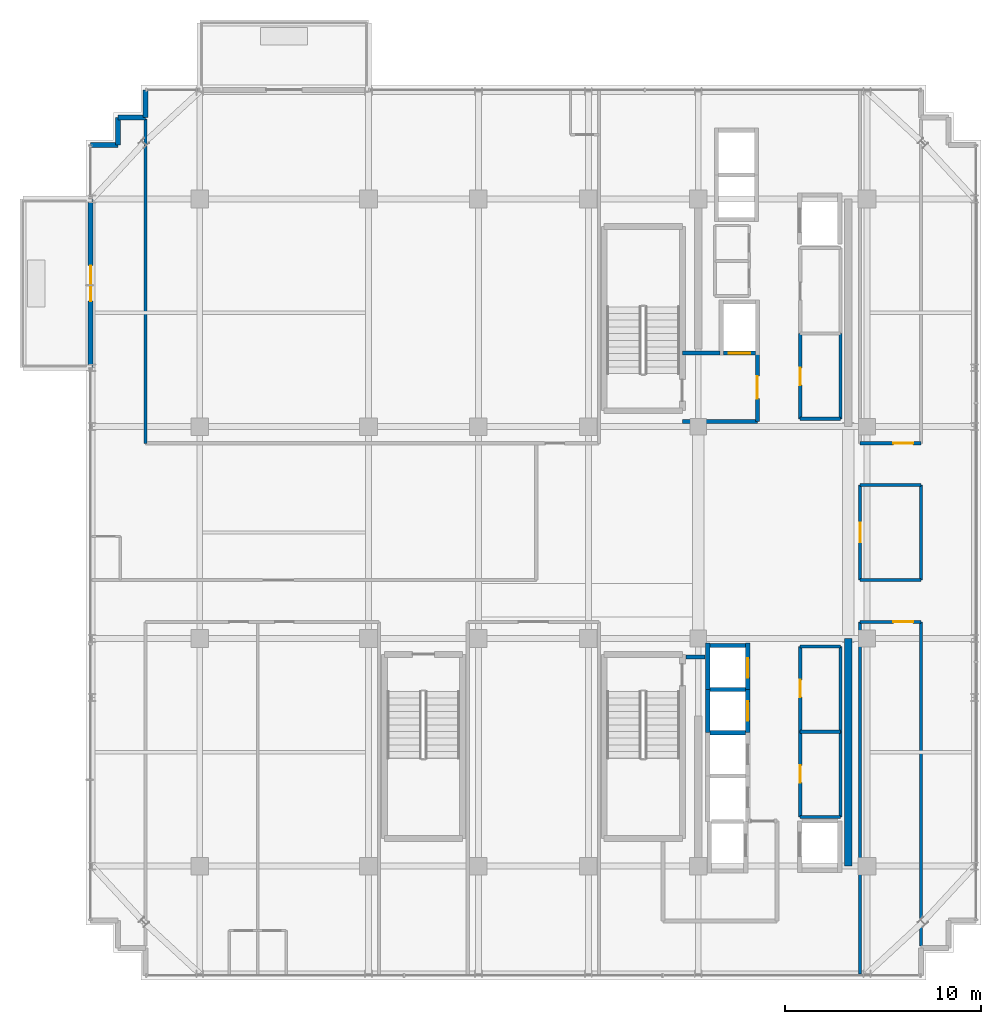
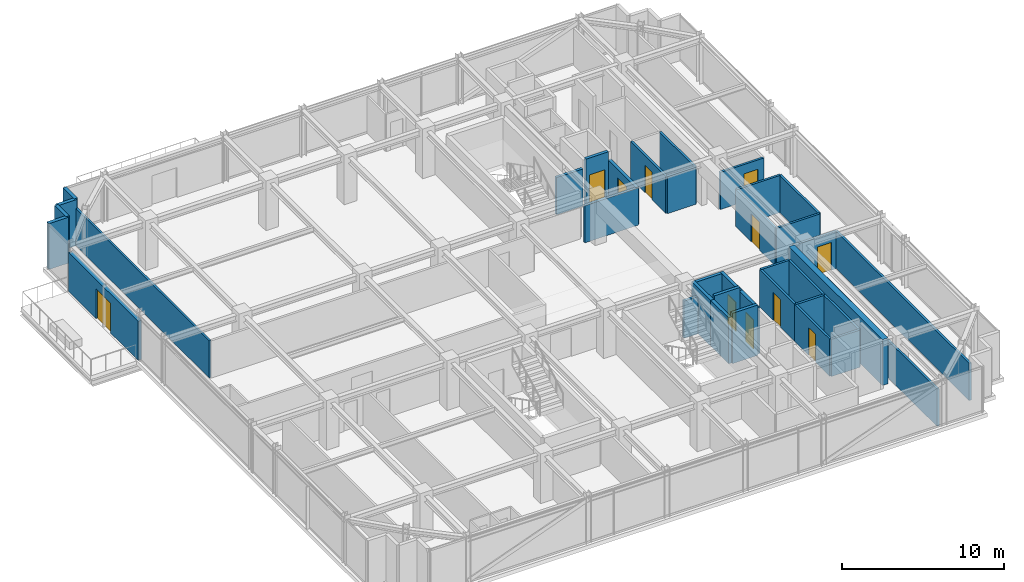
# One storey, part 29 of 34: 37 walls, 11 doors, 11 openings.
"""IFC4 building model written with IfcOpenShell, lengths in metres."""

from ifc_helpers import new_model, si_unit, direction, frame, frame_2d, origin, place, context, subcontext, project, spatial, rectangle, extrude, source, transform, mapped, material, layer, layer_set, type_object, element, fill, save


model = new_model("IFC4")

# Units and contexts
model_context = context("Model", 3, precision=1e-05, world=origin(), true_north=direction((0.0, 1.0)))
body_context = subcontext(model_context, "Body", "Model", "MODEL_VIEW")
ifc_project = project(units=[si_unit("LENGTHUNIT", "METRE"), si_unit("AREAUNIT", "SQUARE_METRE"), si_unit("VOLUMEUNIT", "CUBIC_METRE"), si_unit("PLANEANGLEUNIT", "RADIAN"), si_unit("MASSUNIT", "GRAM", prefix="KILO")], contexts=[model_context])

# Site, building, storey
site_placement = place(None, origin())
site = spatial("IfcSite", under=ifc_project, at=site_placement, CompositionType="ELEMENT")
building_placement = place(site_placement, origin())
building = spatial("IfcBuilding", under=site, at=building_placement, Name="Nahalor Promenade Grand Hotel", CompositionType="ELEMENT")
storey_placement = place(building_placement, frame((0.0, 0.0, 334.75)))
storey = spatial("IfcBuildingStorey", under=building, at=storey_placement, Name="L86", CompositionType="ELEMENT", Elevation=334.75)

# Walls
ifc_material_1 = material(Name="Concrete B-50 (C40/50)", Category="concrete")
ifc_layer_1 = layer(ifc_material_1, 0.39990234375)
ifc_layer_set_1 = layer_set([ifc_layer_1], Name="Concrete B-50 (C40/50)")
wall_type_1 = type_object("IfcWallType", Name="Wall-CoreShear-400", PredefinedType="SHEAR", material=ifc_layer_set_1)
shared_shape_1 = source(origin(), body_context, "Body", "SweptSolid", [
    extrude(rectangle(XDim=11.60009765625, YDim=0.39990234375, at=frame_2d((5.800048828125, 0.0))), origin(), (0.0, 0.0, 1.0), 3.469970703125),
])
wall_1_placement = place(storey_placement, frame((16.050048828125, -17.0, 0.0), z_axis=(0.0, 0.0, 1.0), x_axis=(0.0, 1.0, 0.0)))
element("IfcWall", 1, at=wall_1_placement, inside=storey, type_object=wall_type_1, Name="CWALL-L86-SE", PredefinedType="SHEAR", context=body_context, shape_type="MappedRepresentation", body=[
    mapped(shared_shape_1, transform((0.0, 0.0, 0.0), scale=1.0)),
])
ifc_layer_2 = layer(ifc_material_1, 0.219970703125)
ifc_layer_set_2 = layer_set([ifc_layer_2], Name="Concrete B-50 (C40/50)")
wall_type_2 = type_object("IfcWallType", Name="Wall-LiftShaft-220", PredefinedType="SHEAR", material=ifc_layer_set_2)
shared_shape_2 = source(origin(), body_context, "Body", "SweptSolid", [
    extrude(rectangle(XDim=2.360107421875, YDim=0.219970703125, at=frame_2d((1.18017578125, 0.0))), origin(), (0.0, 0.0, 1.0), 3.469970703125),
])
wall_2_placement = place(storey_placement, frame((8.8798828125, -8.0, 0.0), z_axis=(0.0, 0.0, 1.0), x_axis=(0.0, 1.0, 0.0)))
element("IfcWall", 2, at=wall_2_placement, inside=storey, type_object=wall_type_2, Name="L86 Lift PL9 Hoistway Wall W", PredefinedType="SHEAR", context=body_context, shape_type="MappedRepresentation", body=[
    mapped(shared_shape_2, transform((0.0, 0.0, 0.0), scale=1.0)),
])

# Wall, opening, door
wall_3_placement = place(storey_placement, frame((10.919921875, -8.0, 0.0), z_axis=(0.0, 0.0, 1.0), x_axis=(0.0, 1.0, 0.0)))
wall_3 = element("IfcWall", 3, at=wall_3_placement, inside=storey, type_object=wall_type_2, Name="L86 Lift PL9 Hoistway Wall E", PredefinedType="SHEAR", context=body_context, shape_type="MappedRepresentation", body=[
    mapped(shared_shape_2, transform((0.0, 0.0, 0.0), scale=1.0)),
])
opening_1_placement = place(wall_3_placement, frame((0.60009765625, 0.0, 0.0)))
opening_1 = element("IfcOpeningElement", 4, at=opening_1_placement, cuts=wall_3, Name="Opening LD-01", PredefinedType="OPENING", context=body_context, shape_type="SweptSolid", body=[
    extrude(rectangle(XDim=1.0, YDim=2.199951171875, at=frame_2d((0.5, 1.10009765625))), frame((0.0, 0.119873046875, 0.0), z_axis=(0.0, -1.0, 0.0), x_axis=(1.0, 0.0, 0.0)), (0.0, 0.0, 1.0), 0.239990234375),
])
ifc_material_2 = material(Name="Steel S355JR", Category="steel")
door_type_1 = type_object("IfcDoorType", Name="Door-LiftLanding-1000", OperationType="DOUBLE_DOOR_SLIDING", PredefinedType="DOOR", material=ifc_material_2)
shared_shape_3 = source(origin(), body_context, "Body", "SweptSolid", [
    extrude(rectangle(XDim=1.0, YDim=2.199951171875, at=frame_2d((0.5, 1.10009765625))), frame((0.0, 0.02490234375, 0.0), z_axis=(0.0, -1.0, 0.0), x_axis=(1.0, 0.0, 0.0)), (0.0, 0.0, 1.0), 0.050048828125),
])
door_1_placement = place(opening_1_placement, frame((1.0, 0.0, 0.0), z_axis=(0.0, 0.0, 1.0), x_axis=(-1.0, 0.0, 0.0)))
door_1 = element("IfcDoor", 5, at=door_1_placement, inside=storey, type_object=door_type_1, Name="DR-LIFT-PL9-L86", OperationType="DOUBLE_DOOR_SLIDING", OverallHeight=2.199951171875, OverallWidth=1.0, PredefinedType="DOOR", context=body_context, shape_type="MappedRepresentation", body=[
    mapped(shared_shape_3, transform((0.0, 0.0, 0.0), scale=1.0)),
])
fill(opening_1, door_1)

# Walls
shared_shape_4 = source(origin(), body_context, "Body", "SweptSolid", [
    extrude(rectangle(XDim=1.820068359375, YDim=0.219970703125, at=frame_2d((0.91015625, 0.0))), origin(), (0.0, 0.0, 1.0), 3.469970703125),
])
wall_4_placement = place(storey_placement, frame((8.989990234375, -5.75, 0.0), z_axis=(0.0, 0.0, 1.0), x_axis=(1.0, 0.0, 0.0)))
element("IfcWall", 6, at=wall_4_placement, inside=storey, type_object=wall_type_2, Name="L86 Lift PL9 Hoistway Wall N", PredefinedType="SHEAR", context=body_context, shape_type="MappedRepresentation", body=[
    mapped(shared_shape_4, transform((0.0, 0.0, 0.0), scale=1.0)),
])
shared_shape_5 = source(origin(), body_context, "Body", "SweptSolid", [
    extrude(rectangle(XDim=1.820068359375, YDim=0.219970703125, at=frame_2d((0.91015625, 0.0))), origin(), (0.0, 0.0, 1.0), 3.800048828125),
])
for number, where, z_axis, x_axis, name in (
    (7, (8.989990234375, -8.0, 0.0), (0.0, 0.0, 1.0), (1.0, 0.0, 0.0), "L86 Lift PL10 Hoistway Wall N"),
    (8, (8.989990234375, -10.199951171875, 0.0), (0.0, 0.0, 1.0), (1.0, 0.0, 0.0), "L86 Lift PL11 Hoistway Wall N"),
):
    element("IfcWall", number, at=place(storey_placement, frame(where, z_axis=z_axis, x_axis=x_axis)), inside=storey, type_object=wall_type_2, Name=name, PredefinedType="SHEAR", context=body_context, shape_type="MappedRepresentation", body=[
        mapped(shared_shape_5, transform((0.0, 0.0, 0.0), scale=1.0)),
    ])
shared_shape_6 = source(origin(), body_context, "Body", "SweptSolid", [
    extrude(rectangle(XDim=2.199951171875, YDim=0.219970703125, at=frame_2d((1.10009765625, 0.0))), origin(), (0.0, 0.0, 1.0), 3.469970703125),
])
wall_5_placement = place(storey_placement, frame((8.8798828125, -10.199951171875, 0.0), z_axis=(0.0, 0.0, 1.0), x_axis=(0.0, 1.0, 0.0)))
element("IfcWall", 9, at=wall_5_placement, inside=storey, type_object=wall_type_2, Name="L86 Lift PL10 Hoistway Wall W", PredefinedType="SHEAR", context=body_context, shape_type="MappedRepresentation", body=[
    mapped(shared_shape_6, transform((0.0, 0.0, 0.0), scale=1.0)),
])

# Wall, opening, door
wall_6_placement = place(storey_placement, frame((10.919921875, -10.199951171875, 0.0), z_axis=(0.0, 0.0, 1.0), x_axis=(0.0, 1.0, 0.0)))
wall_6 = element("IfcWall", 10, at=wall_6_placement, inside=storey, type_object=wall_type_2, Name="L86 Lift PL10 Hoistway Wall E", PredefinedType="SHEAR", context=body_context, shape_type="MappedRepresentation", body=[
    mapped(shared_shape_6, transform((0.0, 0.0, 0.0), scale=1.0)),
])
opening_2_placement = place(wall_6_placement, frame((0.60009765625, 0.0, 0.0)))
opening_2 = element("IfcOpeningElement", 11, at=opening_2_placement, cuts=wall_6, Name="Opening LD-01", PredefinedType="OPENING", context=body_context, shape_type="SweptSolid", body=[
    extrude(rectangle(XDim=1.0, YDim=2.199951171875, at=frame_2d((0.5, 1.10009765625))), frame((0.0, 0.119873046875, 0.0), z_axis=(0.0, -1.0, 0.0), x_axis=(1.0, 0.0, 0.0)), (0.0, 0.0, 1.0), 0.239990234375),
])
door_2_placement = place(opening_2_placement, frame((1.0, 0.0, 0.0), z_axis=(0.0, 0.0, 1.0), x_axis=(-1.0, 0.0, 0.0)))
door_2 = element("IfcDoor", 12, at=door_2_placement, inside=storey, type_object=door_type_1, Name="DR-LIFT-PL10-L86", OperationType="DOUBLE_DOOR_SLIDING", OverallHeight=2.199951171875, OverallWidth=1.0, PredefinedType="DOOR", context=body_context, shape_type="MappedRepresentation", body=[
    mapped(shared_shape_3, transform((0.0, 0.0, 0.0), scale=1.0)),
])
fill(opening_2, door_2)

shared_shape_7 = source(origin(), body_context, "Body", "SweptSolid", [
    extrude(rectangle(XDim=1.6201171875, YDim=0.219970703125, at=frame_2d((0.81005859375, 0.0))), origin(), (0.0, 0.0, 1.0), 3.469970703125),
])
wall_7_placement = place(storey_placement, frame((9.68994140625, 9.14990234375, 0.0), z_axis=(0.0, 0.0, 1.0), x_axis=(1.0, 0.0, 0.0)))
wall_7 = element("IfcWall", 13, at=wall_7_placement, inside=storey, type_object=wall_type_2, Name="L86 Lift FL1 Hoistway Wall S", PredefinedType="SHEAR", context=body_context, shape_type="MappedRepresentation", body=[
    mapped(shared_shape_7, transform((0.0, 0.0, 0.0), scale=1.0)),
])
opening_3_placement = place(wall_7_placement, frame((0.260009765625, 0.0, 0.0)))
opening_3 = element("IfcOpeningElement", 14, at=opening_3_placement, cuts=wall_7, Name="Opening LD-02", PredefinedType="OPENING", context=body_context, shape_type="SweptSolid", body=[
    extrude(rectangle(XDim=1.10009765625, YDim=2.199951171875, at=frame_2d((0.550048828125, 1.10009765625))), frame((0.0, 0.119873046875, 0.0), z_axis=(0.0, -1.0, 0.0), x_axis=(1.0, 0.0, 0.0)), (0.0, 0.0, 1.0), 0.239990234375),
])
door_type_2 = type_object("IfcDoorType", Name="Door-LiftFF-1100", OperationType="DOUBLE_DOOR_SLIDING", PredefinedType="DOOR", material=ifc_material_2)
shared_shape_8 = source(origin(), body_context, "Body", "SweptSolid", [
    extrude(rectangle(XDim=1.10009765625, YDim=2.199951171875, at=frame_2d((0.550048828125, 1.10009765625))), frame((0.0, 0.02490234375, 0.0), z_axis=(0.0, -1.0, 0.0), x_axis=(1.0, 0.0, 0.0)), (0.0, 0.0, 1.0), 0.050048828125),
])
door_3_placement = place(opening_3_placement, frame((1.10009765625, 0.0, 0.0), z_axis=(0.0, 0.0, 1.0), x_axis=(-1.0, 0.0, 0.0)))
door_3 = element("IfcDoor", 15, at=door_3_placement, inside=storey, type_object=door_type_2, Name="DR-LIFT-FL1-L86", OperationType="DOUBLE_DOOR_SLIDING", OverallHeight=2.199951171875, OverallWidth=1.10009765625, PredefinedType="DOOR", context=body_context, shape_type="MappedRepresentation", body=[
    mapped(shared_shape_8, transform((0.0, 0.0, 0.0), scale=1.0)),
])
fill(opening_3, door_3)

# Walls
ifc_material_3 = material(Name="Concrete B-40 (C32/40)", Category="concrete")
ifc_layer_3 = layer(ifc_material_3, 0.25)
ifc_layer_set_3 = layer_set([ifc_layer_3], Name="Concrete B-40 (C32/40)")
wall_type_3 = type_object("IfcWallType", Name="Wall-BronzePier-250", PredefinedType="STANDARD", material=ifc_layer_set_3)
shared_shape_9 = source(origin(), body_context, "Body", "SweptSolid", [
    extrude(rectangle(XDim=1.400146484375, YDim=0.25, at=frame_2d((0.7001953125, 0.0))), origin(), (0.0, 0.0, 1.0), 3.469970703125),
])
for number, where, z_axis, x_axis, name in (
    (16, (-19.760009765625, 21.159912109375, 0.0), (0.0, 0.0, 1.0), (0.0, 1.0, 0.0), "W-L86-SR-09"),
    (17, (-22.56005859375, 19.760009765625, 0.0), (0.0, 0.0, 1.0), (1.0, 0.0, 0.0), "W-L86-SR-12"),
):
    element("IfcWall", number, at=place(storey_placement, frame(where, z_axis=z_axis, x_axis=x_axis)), inside=storey, type_object=wall_type_3, Name=name, PredefinedType="STANDARD", context=body_context, shape_type="MappedRepresentation", body=[
        mapped(shared_shape_9, transform((0.0, 0.0, 0.0), scale=1.0)),
    ])
shared_shape_10 = source(origin(), body_context, "Body", "SweptSolid", [
    extrude(rectangle(XDim=1.39990234375, YDim=0.25, at=frame_2d((0.699951171875, 0.0))), origin(), (0.0, 0.0, 1.0), 3.469970703125),
])
for number, where, z_axis, x_axis, name in (
    (18, (-21.159912109375, 21.159912109375, 0.0), (0.0, 0.0, 1.0), (1.0, 0.0, 0.0), "W-L86-SR-10"),
    (19, (-21.159912109375, 19.760009765625, 0.0), (0.0, 0.0, 1.0), (0.0, 1.0, 0.0), "W-L86-SR-11"),
):
    element("IfcWall", number, at=place(storey_placement, frame(where, z_axis=z_axis, x_axis=x_axis)), inside=storey, type_object=wall_type_3, Name=name, PredefinedType="STANDARD", context=body_context, shape_type="MappedRepresentation", body=[
        mapped(shared_shape_10, transform((0.0, 0.0, 0.0), scale=1.0)),
    ])

# Wall, opening, door
ifc_layer_4 = layer(ifc_material_3, 0.260009765625)
ifc_layer_set_4 = layer_set([ifc_layer_4], Name="Concrete B-40 (C32/40)")
wall_type_4 = type_object("IfcWallType", Name="Wall-BalconyWall-260", PredefinedType="STANDARD", material=ifc_layer_set_4)
shared_shape_11 = source(origin(), body_context, "Body", "SweptSolid", [
    extrude(rectangle(XDim=8.60009765625, YDim=0.260009765625, at=frame_2d((4.300048828125, 0.0))), origin(), (0.0, 0.0, 1.0), 2.949951171875),
])
wall_8_placement = place(storey_placement, frame((-22.56005859375, 8.39990234375, 0.0), z_axis=(0.0, 0.0, 1.0), x_axis=(0.0, 1.0, 0.0)))
wall_8 = element("IfcWall", 20, at=wall_8_placement, inside=storey, type_object=wall_type_4, Name="W-L86-BALC-W-2", PredefinedType="STANDARD", context=body_context, shape_type="MappedRepresentation", body=[
    mapped(shared_shape_11, transform((0.0, 0.0, 0.0), scale=1.0)),
])
opening_4_placement = place(wall_8_placement, frame((3.39990234375, 0.0, 0.0)))
opening_4 = element("IfcOpeningElement", 21, at=opening_4_placement, cuts=wall_8, Name="Opening D-BC1", PredefinedType="OPENING", context=body_context, shape_type="SweptSolid", body=[
    extrude(rectangle(XDim=1.800048828125, YDim=2.25, at=frame_2d((0.89990234375, 1.125))), frame((0.0, 0.139892578125, 0.0), z_axis=(0.0, -1.0, 0.0), x_axis=(1.0, 0.0, 0.0)), (0.0, 0.0, 1.0), 0.280029296875),
])
ifc_material_4 = material(Name="Anodised Bronze Aluminium EN AW-6063 T6", Category="aluminium")
door_type_3 = type_object("IfcDoorType", Name="Door-BalconySlide-1800", OperationType="DOUBLE_DOOR_SLIDING", PredefinedType="DOOR", material=ifc_material_4)
shared_shape_12 = source(origin(), body_context, "Body", "SweptSolid", [
    extrude(rectangle(XDim=1.800048828125, YDim=2.25, at=frame_2d((0.89990234375, 1.125))), frame((0.0, 0.02490234375, 0.0), z_axis=(0.0, -1.0, 0.0), x_axis=(1.0, 0.0, 0.0)), (0.0, 0.0, 1.0), 0.050048828125),
])
door_4_placement = place(opening_4_placement, origin())
door_4 = element("IfcDoor", 22, at=door_4_placement, inside=storey, type_object=door_type_3, Name="DR-L86-BALC-W-2", OperationType="DOUBLE_DOOR_SLIDING", OverallHeight=2.25, OverallWidth=1.800048828125, PredefinedType="DOOR", context=body_context, shape_type="MappedRepresentation", body=[
    mapped(shared_shape_12, transform((0.0, 0.0, 0.0), scale=1.0)),
])
fill(opening_4, door_4)

# Walls
ifc_layer_5 = layer(ifc_material_3, 0.199951171875)
ifc_layer_set_5 = layer_set([ifc_layer_5], Name="Concrete B-40 (C32/40)")
wall_type_5 = type_object("IfcWallType", Name="Wall-PartFire-200", PredefinedType="PARTITIONING", material=ifc_layer_set_5)
shared_shape_13 = source(origin(), body_context, "Body", "SweptSolid", [
    extrude(rectangle(XDim=3.81982421875, YDim=0.199951171875, at=frame_2d((1.909912109375, 0.0))), origin(), (0.0, 0.0, 1.0), 2.81005859375),
])
wall_9_placement = place(storey_placement, frame((7.60009765625, 5.64990234375, 0.0), z_axis=(0.0, 0.0, 1.0), x_axis=(1.0, 0.0, 0.0)))
element("IfcWall", 23, at=wall_9_placement, inside=storey, type_object=wall_type_5, Name="W-L86-FF1-S", PredefinedType="PARTITIONING", context=body_context, shape_type="MappedRepresentation", body=[
    mapped(shared_shape_13, transform((0.0, 0.0, 0.0), scale=1.0)),
])
shared_shape_14 = source(origin(), body_context, "Body", "SweptSolid", [
    extrude(rectangle(XDim=1.89990234375, YDim=0.199951171875, at=frame_2d((0.949951171875, 0.0))), origin(), (0.0, 0.0, 1.0), 2.81005859375),
])
wall_10_placement = place(storey_placement, frame((7.60009765625, 9.14990234375, 0.0), z_axis=(0.0, 0.0, 1.0), x_axis=(1.0, 0.0, 0.0)))
element("IfcWall", 24, at=wall_10_placement, inside=storey, type_object=wall_type_5, Name="W-L86-FF1-N", PredefinedType="PARTITIONING", context=body_context, shape_type="MappedRepresentation", body=[
    mapped(shared_shape_14, transform((0.0, 0.0, 0.0), scale=1.0)),
])

# Wall, opening, door
shared_shape_15 = source(origin(), body_context, "Body", "SweptSolid", [
    extrude(rectangle(XDim=3.5, YDim=0.199951171875, at=frame_2d((1.75, 0.0))), origin(), (0.0, 0.0, 1.0), 2.81005859375),
])
wall_11_placement = place(storey_placement, frame((11.419921875, 5.64990234375, 0.0), z_axis=(0.0, 0.0, 1.0), x_axis=(0.0, 1.0, 0.0)))
wall_11 = element("IfcWall", 25, at=wall_11_placement, inside=storey, type_object=wall_type_5, Name="W-L86-FF1-E", PredefinedType="PARTITIONING", context=body_context, shape_type="MappedRepresentation", body=[
    mapped(shared_shape_15, transform((0.0, 0.0, 0.0), scale=1.0)),
])
opening_5_placement = place(wall_11_placement, frame((1.175048828125, 0.0, 0.0)))
opening_5 = element("IfcOpeningElement", 26, at=opening_5_placement, cuts=wall_11, Name="Opening D-FF1", PredefinedType="OPENING", context=body_context, shape_type="SweptSolid", body=[
    extrude(rectangle(XDim=1.14990234375, YDim=2.14990234375, at=frame_2d((0.574951171875, 1.074951171875))), frame((0.0, 0.10986328125, 0.0), z_axis=(0.0, -1.0, 0.0), x_axis=(1.0, 0.0, 0.0)), (0.0, 0.0, 1.0), 0.219970703125),
])
door_type_4 = type_object("IfcDoorType", Name="Door-FFLobby-1150", OperationType="NOTDEFINED", PredefinedType="DOOR", material=ifc_material_2)
shared_shape_16 = source(origin(), body_context, "Body", "SweptSolid", [
    extrude(rectangle(XDim=1.14990234375, YDim=2.14990234375, at=frame_2d((0.574951171875, 1.074951171875))), frame((0.0, 0.02490234375, 0.0), z_axis=(0.0, -1.0, 0.0), x_axis=(1.0, 0.0, 0.0)), (0.0, 0.0, 1.0), 0.050048828125),
])
door_5_placement = place(opening_5_placement, frame((1.14990234375, 0.0, 0.0), z_axis=(0.0, 0.0, 1.0), x_axis=(-1.0, 0.0, 0.0)))
door_5 = element("IfcDoor", 27, at=door_5_placement, inside=storey, type_object=door_type_4, Name="DR-L86-FFL1", OperationType="SINGLE_SWING_LEFT", OverallHeight=2.14990234375, OverallWidth=1.14990234375, PredefinedType="DOOR", context=body_context, shape_type="MappedRepresentation", body=[
    mapped(shared_shape_16, transform((0.0, 0.0, 0.0), scale=1.0)),
])
fill(opening_5, door_5)

# Walls
shared_shape_17 = source(origin(), body_context, "Body", "SweptSolid", [
    extrude(rectangle(XDim=0.969970703125, YDim=0.199951171875, at=frame_2d((0.48486328125, 0.0))), origin(), (0.0, 0.0, 1.0), 2.81005859375),
])
wall_12_placement = place(storey_placement, frame((7.77001953125, -6.35009765625, 0.0), z_axis=(0.0, 0.0, 1.0), x_axis=(1.0, 0.0, 0.0)))
element("IfcWall", 28, at=wall_12_placement, inside=storey, type_object=wall_type_5, Name="W-L86-FF2-N2", PredefinedType="PARTITIONING", context=body_context, shape_type="MappedRepresentation", body=[
    mapped(shared_shape_17, transform((0.0, 0.0, 0.0), scale=1.0)),
])
ifc_material_5 = material(Name="Acoustic Mineral Gypsum", Category="gypsum")
ifc_layer_6 = layer(ifc_material_5, 0.159912109375)
ifc_layer_set_6 = layer_set([ifc_layer_6], Name="Acoustic Mineral Gypsum")
wall_type_6 = type_object("IfcWallType", Name="Wall-PartCorridor-160", PredefinedType="PARTITIONING", material=ifc_layer_set_6)
shared_shape_18 = source(origin(), body_context, "Body", "SweptSolid", [
    extrude(rectangle(XDim=2.0498046875, YDim=0.159912109375, at=frame_2d((1.02490234375, 0.0))), origin(), (0.0, 0.0, 1.0), 2.81005859375),
])
for number, where, z_axis, x_axis, name in (
    (29, (13.60009765625, 5.800048828125, 0.0), (0.0, 0.0, 1.0), (1.0, 0.0, 0.0), "W-L86-FRB1A-S"),
    (30, (13.60009765625, -14.5, 0.0), (0.0, 0.0, 1.0), (1.0, 0.0, 0.0), "W-L86-FRB2A-S"),
    (31, (13.60009765625, -10.14990234375, 0.0), (0.0, 0.0, 1.0), (1.0, 0.0, 0.0), "W-L86-FRB2A-N"),
    (32, (13.60009765625, -5.800048828125, 0.0), (0.0, 0.0, 1.0), (1.0, 0.0, 0.0), "W-L86-FRB2B-N"),
):
    element("IfcWall", number, at=place(storey_placement, frame(where, z_axis=z_axis, x_axis=x_axis)), inside=storey, type_object=wall_type_6, Name=name, PredefinedType="PARTITIONING", context=body_context, shape_type="MappedRepresentation", body=[
        mapped(shared_shape_18, transform((0.0, 0.0, 0.0), scale=1.0)),
    ])

# Wall, opening, door
shared_shape_19 = source(origin(), body_context, "Body", "SweptSolid", [
    extrude(rectangle(XDim=4.349853515625, YDim=0.159912109375, at=frame_2d((2.1748046875, 0.0))), origin(), (0.0, 0.0, 1.0), 2.81005859375),
])
wall_13_placement = place(storey_placement, frame((13.60009765625, 5.800048828125, 0.0), z_axis=(0.0, 0.0, 1.0), x_axis=(0.0, 1.0, 0.0)))
wall_13 = element("IfcWall", 33, at=wall_13_placement, inside=storey, type_object=wall_type_6, Name="W-L86-FRB1A-W", PredefinedType="PARTITIONING", context=body_context, shape_type="MappedRepresentation", body=[
    mapped(shared_shape_19, transform((0.0, 0.0, 0.0), scale=1.0)),
])
opening_6_placement = place(wall_13_placement, frame((1.7099609375, 0.0, 0.0)))
opening_6 = element("IfcOpeningElement", 34, at=opening_6_placement, cuts=wall_13, Name="Opening D-03", PredefinedType="OPENING", context=body_context, shape_type="SweptSolid", body=[
    extrude(rectangle(XDim=0.8798828125, YDim=2.10009765625, at=frame_2d((0.43994140625, 1.050048828125))), frame((0.0, 0.08984375, 0.0), z_axis=(0.0, -1.0, 0.0), x_axis=(1.0, 0.0, 0.0)), (0.0, 0.0, 1.0), 0.179931640625),
])
ifc_material_6 = material(Name="Fire-Rated Timber Composite", Category="wood")
door_type_5 = type_object("IfcDoorType", Name="Door-BathSwing-880", OperationType="NOTDEFINED", PredefinedType="DOOR", material=ifc_material_6)
shared_shape_20 = source(origin(), body_context, "Body", "SweptSolid", [
    extrude(rectangle(XDim=0.8798828125, YDim=2.10009765625, at=frame_2d((0.43994140625, 1.050048828125))), frame((0.0, 0.02490234375, 0.0), z_axis=(0.0, -1.0, 0.0), x_axis=(1.0, 0.0, 0.0)), (0.0, 0.0, 1.0), 0.050048828125),
])
door_6_placement = place(opening_6_placement, frame((0.8798828125, 0.0, 0.0), z_axis=(0.0, 0.0, 1.0), x_axis=(-1.0, 0.0, 0.0)))
door_6 = element("IfcDoor", 35, at=door_6_placement, inside=storey, type_object=door_type_5, Name="DR-L86-FRB1A", OperationType="SINGLE_SWING_LEFT", OverallHeight=2.10009765625, OverallWidth=0.8798828125, PredefinedType="DOOR", context=body_context, shape_type="MappedRepresentation", body=[
    mapped(shared_shape_20, transform((0.0, 0.0, 0.0), scale=1.0)),
])
fill(opening_6, door_6)

# Wall
wall_14_placement = place(storey_placement, frame((15.64990234375, 5.800048828125, 0.0), z_axis=(0.0, 0.0, 1.0), x_axis=(0.0, 1.0, 0.0)))
element("IfcWall", 36, at=wall_14_placement, inside=storey, type_object=wall_type_6, Name="W-L86-FRB1A-E", PredefinedType="PARTITIONING", context=body_context, shape_type="MappedRepresentation", body=[
    mapped(shared_shape_19, transform((0.0, 0.0, 0.0), scale=1.0)),
])

# Wall, opening, door
wall_15_placement = place(storey_placement, frame((13.60009765625, -10.14990234375, 0.0), z_axis=(0.0, 0.0, 1.0), x_axis=(0.0, 1.0, 0.0)))
wall_15 = element("IfcWall", 37, at=wall_15_placement, inside=storey, type_object=wall_type_6, Name="W-L86-FRB2B-W", PredefinedType="PARTITIONING", context=body_context, shape_type="MappedRepresentation", body=[
    mapped(shared_shape_19, transform((0.0, 0.0, 0.0), scale=1.0)),
])
opening_7_placement = place(wall_15_placement, frame((1.760009765625, 0.0, 0.0)))
opening_7 = element("IfcOpeningElement", 38, at=opening_7_placement, cuts=wall_15, Name="Opening D-03", PredefinedType="OPENING", context=body_context, shape_type="SweptSolid", body=[
    extrude(rectangle(XDim=0.8798828125, YDim=2.10009765625, at=frame_2d((0.43994140625, 1.050048828125))), frame((0.0, 0.08984375, 0.0), z_axis=(0.0, -1.0, 0.0), x_axis=(1.0, 0.0, 0.0)), (0.0, 0.0, 1.0), 0.179931640625),
])
door_7_placement = place(opening_7_placement, frame((0.8798828125, 0.0, 0.0), z_axis=(0.0, 0.0, 1.0), x_axis=(-1.0, 0.0, 0.0)))
door_7 = element("IfcDoor", 39, at=door_7_placement, inside=storey, type_object=door_type_5, Name="DR-L86-FRB2B", OperationType="SINGLE_SWING_RIGHT", OverallHeight=2.10009765625, OverallWidth=0.8798828125, PredefinedType="DOOR", context=body_context, shape_type="MappedRepresentation", body=[
    mapped(shared_shape_20, transform((0.0, 0.0, 0.0), scale=1.0)),
])
fill(opening_7, door_7)

# Wall
wall_16_placement = place(storey_placement, frame((15.64990234375, -10.14990234375, 0.0), z_axis=(0.0, 0.0, 1.0), x_axis=(0.0, 1.0, 0.0)))
element("IfcWall", 40, at=wall_16_placement, inside=storey, type_object=wall_type_6, Name="W-L86-FRB2B-E", PredefinedType="PARTITIONING", context=body_context, shape_type="MappedRepresentation", body=[
    mapped(shared_shape_19, transform((0.0, 0.0, 0.0), scale=1.0)),
])

# Wall, opening, door
shared_shape_21 = source(origin(), body_context, "Body", "SweptSolid", [
    extrude(rectangle(XDim=4.35009765625, YDim=0.159912109375, at=frame_2d((2.175048828125, 0.0))), origin(), (0.0, 0.0, 1.0), 2.81005859375),
])
wall_17_placement = place(storey_placement, frame((13.60009765625, -14.5, 0.0), z_axis=(0.0, 0.0, 1.0), x_axis=(0.0, 1.0, 0.0)))
wall_17 = element("IfcWall", 41, at=wall_17_placement, inside=storey, type_object=wall_type_6, Name="W-L86-FRB2A-W", PredefinedType="PARTITIONING", context=body_context, shape_type="MappedRepresentation", body=[
    mapped(shared_shape_21, transform((0.0, 0.0, 0.0), scale=1.0)),
])
opening_8_placement = place(wall_17_placement, frame((1.760009765625, 0.0, 0.0)))
opening_8 = element("IfcOpeningElement", 42, at=opening_8_placement, cuts=wall_17, Name="Opening D-03", PredefinedType="OPENING", context=body_context, shape_type="SweptSolid", body=[
    extrude(rectangle(XDim=0.8798828125, YDim=2.10009765625, at=frame_2d((0.43994140625, 1.050048828125))), frame((0.0, 0.08984375, 0.0), z_axis=(0.0, -1.0, 0.0), x_axis=(1.0, 0.0, 0.0)), (0.0, 0.0, 1.0), 0.179931640625),
])
door_8_placement = place(opening_8_placement, frame((0.8798828125, 0.0, 0.0), z_axis=(0.0, 0.0, 1.0), x_axis=(-1.0, 0.0, 0.0)))
door_8 = element("IfcDoor", 43, at=door_8_placement, inside=storey, type_object=door_type_5, Name="DR-L86-FRB2A", OperationType="SINGLE_SWING_LEFT", OverallHeight=2.10009765625, OverallWidth=0.8798828125, PredefinedType="DOOR", context=body_context, shape_type="MappedRepresentation", body=[
    mapped(shared_shape_20, transform((0.0, 0.0, 0.0), scale=1.0)),
])
fill(opening_8, door_8)

# Wall
wall_18_placement = place(storey_placement, frame((15.64990234375, -14.5, 0.0), z_axis=(0.0, 0.0, 1.0), x_axis=(0.0, 1.0, 0.0)))
element("IfcWall", 44, at=wall_18_placement, inside=storey, type_object=wall_type_6, Name="W-L86-FRB2A-E", PredefinedType="PARTITIONING", context=body_context, shape_type="MappedRepresentation", body=[
    mapped(shared_shape_21, transform((0.0, 0.0, 0.0), scale=1.0)),
])

# Wall, opening, door
shared_shape_22 = source(origin(), body_context, "Body", "SweptSolid", [
    extrude(rectangle(XDim=3.110107421875, YDim=0.159912109375, at=frame_2d((1.55517578125, 0.0))), origin(), (0.0, 0.0, 1.0), 2.81005859375),
])
wall_19_placement = place(storey_placement, frame((16.64990234375, 4.550048828125, 0.0), z_axis=(0.0, 0.0, 1.0), x_axis=(1.0, 0.0, 0.0)))
wall_19 = element("IfcWall", 45, at=wall_19_placement, inside=storey, type_object=wall_type_6, Name="W-L86-ENE-S", PredefinedType="PARTITIONING", context=body_context, shape_type="MappedRepresentation", body=[
    mapped(shared_shape_22, transform((0.0, 0.0, 0.0), scale=1.0)),
])
opening_9_placement = place(wall_19_placement, frame((1.700927734375, 0.0, 0.0)))
opening_9 = element("IfcOpeningElement", 46, at=opening_9_placement, cuts=wall_19, Name="Opening D-04", PredefinedType="OPENING", context=body_context, shape_type="SweptSolid", body=[
    extrude(rectangle(XDim=1.0, YDim=2.10009765625, at=frame_2d((0.5, 1.050048828125))), frame((0.0, 0.08984375, 0.0), z_axis=(0.0, -1.0, 0.0), x_axis=(1.0, 0.0, 0.0)), (0.0, 0.0, 1.0), 0.179931640625),
])
door_type_6 = type_object("IfcDoorType", Name="Door-ServiceFire-1000", OperationType="NOTDEFINED", PredefinedType="DOOR", material=ifc_material_2)
shared_shape_23 = source(origin(), body_context, "Body", "SweptSolid", [
    extrude(rectangle(XDim=1.0, YDim=2.10009765625, at=frame_2d((0.5, 1.050048828125))), frame((0.0, 0.02490234375, 0.0), z_axis=(0.0, -1.0, 0.0), x_axis=(1.0, 0.0, 0.0)), (0.0, 0.0, 1.0), 0.050048828125),
])
door_9_placement = place(opening_9_placement, origin())
door_9 = element("IfcDoor", 47, at=door_9_placement, inside=storey, type_object=door_type_6, Name="DR-L86-ENE", OperationType="SINGLE_SWING_LEFT", OverallHeight=2.10009765625, OverallWidth=1.0, PredefinedType="DOOR", context=body_context, shape_type="MappedRepresentation", body=[
    mapped(shared_shape_23, transform((0.0, 0.0, 0.0), scale=1.0)),
])
fill(opening_9, door_9)

wall_20_placement = place(storey_placement, frame((16.64990234375, -4.550048828125, 0.0), z_axis=(0.0, 0.0, 1.0), x_axis=(1.0, 0.0, 0.0)))
wall_20 = element("IfcWall", 48, at=wall_20_placement, inside=storey, type_object=wall_type_6, Name="W-L86-ESE-N", PredefinedType="PARTITIONING", context=body_context, shape_type="MappedRepresentation", body=[
    mapped(shared_shape_22, transform((0.0, 0.0, 0.0), scale=1.0)),
])
opening_10_placement = place(wall_20_placement, frame((1.700927734375, 0.0, 0.0)))
opening_10 = element("IfcOpeningElement", 49, at=opening_10_placement, cuts=wall_20, Name="Opening D-04", PredefinedType="OPENING", context=body_context, shape_type="SweptSolid", body=[
    extrude(rectangle(XDim=1.0, YDim=2.10009765625, at=frame_2d((0.5, 1.050048828125))), frame((0.0, 0.08984375, 0.0), z_axis=(0.0, -1.0, 0.0), x_axis=(1.0, 0.0, 0.0)), (0.0, 0.0, 1.0), 0.179931640625),
])
door_10_placement = place(opening_10_placement, frame((1.0, 0.0, 0.0), z_axis=(0.0, 0.0, 1.0), x_axis=(-1.0, 0.0, 0.0)))
door_10 = element("IfcDoor", 50, at=door_10_placement, inside=storey, type_object=door_type_6, Name="DR-L86-ESE", OperationType="SINGLE_SWING_RIGHT", OverallHeight=2.10009765625, OverallWidth=1.0, PredefinedType="DOOR", context=body_context, shape_type="MappedRepresentation", body=[
    mapped(shared_shape_23, transform((0.0, 0.0, 0.0), scale=1.0)),
])
fill(opening_10, door_10)

# Walls
for number, where, z_axis, x_axis, name in (
    (51, (16.64990234375, -2.419921875, 0.0), (0.0, 0.0, 1.0), (1.0, 0.0, 0.0), "W-L86-ECW-S"),
    (52, (16.64990234375, 2.419921875, 0.0), (0.0, 0.0, 1.0), (1.0, 0.0, 0.0), "W-L86-ECW-N"),
):
    element("IfcWall", number, at=place(storey_placement, frame(where, z_axis=z_axis, x_axis=x_axis)), inside=storey, type_object=wall_type_6, Name=name, PredefinedType="PARTITIONING", context=body_context, shape_type="MappedRepresentation", body=[
        mapped(shared_shape_22, transform((0.0, 0.0, 0.0), scale=1.0)),
    ])
shared_shape_24 = source(origin(), body_context, "Body", "SweptSolid", [
    extrude(rectangle(XDim=17.949951171875, YDim=0.159912109375, at=frame_2d((8.97509765625, 0.0))), origin(), (0.0, 0.0, 1.0), 2.81005859375),
])
wall_21_placement = place(storey_placement, frame((16.64990234375, -22.5, 0.0), z_axis=(0.0, 0.0, 1.0), x_axis=(0.0, 1.0, 0.0)))
element("IfcWall", 53, at=wall_21_placement, inside=storey, type_object=wall_type_6, Name="W-L86-ESE-W", PredefinedType="PARTITIONING", context=body_context, shape_type="MappedRepresentation", body=[
    mapped(shared_shape_24, transform((0.0, 0.0, 0.0), scale=1.0)),
])
shared_shape_25 = source(origin(), body_context, "Body", "SweptSolid", [
    extrude(rectangle(XDim=16.530029296875, YDim=0.159912109375, at=frame_2d((8.26513671875, 0.0))), origin(), (0.0, 0.0, 1.0), 2.81005859375),
])
wall_22_placement = place(storey_placement, frame((19.760009765625, -21.080078125, 0.0), z_axis=(0.0, 0.0, 1.0), x_axis=(0.0, 1.0, 0.0)))
element("IfcWall", 54, at=wall_22_placement, inside=storey, type_object=wall_type_6, Name="W-L86-ESE-E", PredefinedType="PARTITIONING", context=body_context, shape_type="MappedRepresentation", body=[
    mapped(shared_shape_25, transform((0.0, 0.0, 0.0), scale=1.0)),
])
ifc_layer_7 = layer(ifc_material_5, 0.139892578125)
ifc_layer_set_7 = layer_set([ifc_layer_7], Name="Acoustic Mineral Gypsum")
wall_type_7 = type_object("IfcWallType", Name="Wall-PartSuite-140", PredefinedType="PARTITIONING", material=ifc_layer_set_7)
shared_shape_26 = source(origin(), body_context, "Body", "SweptSolid", [
    extrude(rectangle(XDim=16.530029296875, YDim=0.139892578125, at=frame_2d((8.26513671875, 0.0))), origin(), (0.0, 0.0, 1.0), 2.81005859375),
])
wall_23_placement = place(storey_placement, frame((-19.760009765625, 4.550048828125, 0.0), z_axis=(0.0, 0.0, 1.0), x_axis=(0.0, 1.0, 0.0)))
element("IfcWall", 55, at=wall_23_placement, inside=storey, type_object=wall_type_7, Name="W-L86-NW-ENDW", PredefinedType="PARTITIONING", context=body_context, shape_type="MappedRepresentation", body=[
    mapped(shared_shape_26, transform((0.0, 0.0, 0.0), scale=1.0)),
])

# Wall, opening, door
shared_shape_27 = source(origin(), body_context, "Body", "SweptSolid", [
    extrude(rectangle(XDim=4.83984375, YDim=0.159912109375, at=frame_2d((2.419921875, 0.0))), origin(), (0.0, 0.0, 1.0), 2.81005859375),
])
wall_24_placement = place(storey_placement, frame((16.64990234375, -2.419921875, 0.0), z_axis=(0.0, 0.0, 1.0), x_axis=(0.0, 1.0, 0.0)))
wall_24 = element("IfcWall", 56, at=wall_24_placement, inside=storey, type_object=wall_type_6, Name="W-L86-ECW-W", PredefinedType="PARTITIONING", context=body_context, shape_type="MappedRepresentation", body=[
    mapped(shared_shape_27, transform((0.0, 0.0, 0.0), scale=1.0)),
])
opening_11_placement = place(wall_24_placement, frame((1.919921875, 0.0, 0.0)))
opening_11 = element("IfcOpeningElement", 57, at=opening_11_placement, cuts=wall_24, Name="Opening D-04", PredefinedType="OPENING", context=body_context, shape_type="SweptSolid", body=[
    extrude(rectangle(XDim=1.0, YDim=2.10009765625, at=frame_2d((0.5, 1.050048828125))), frame((0.0, 0.08984375, 0.0), z_axis=(0.0, -1.0, 0.0), x_axis=(1.0, 0.0, 0.0)), (0.0, 0.0, 1.0), 0.179931640625),
])
door_11_placement = place(opening_11_placement, frame((1.0, 0.0, 0.0), z_axis=(0.0, 0.0, 1.0), x_axis=(-1.0, 0.0, 0.0)))
door_11 = element("IfcDoor", 58, at=door_11_placement, inside=storey, type_object=door_type_6, Name="DR-L86-ECW", OperationType="SINGLE_SWING_RIGHT", OverallHeight=2.10009765625, OverallWidth=1.0, PredefinedType="DOOR", context=body_context, shape_type="MappedRepresentation", body=[
    mapped(shared_shape_23, transform((0.0, 0.0, 0.0), scale=1.0)),
])
fill(opening_11, door_11)

# Wall
wall_25_placement = place(storey_placement, frame((19.760009765625, -2.419921875, 0.0), z_axis=(0.0, 0.0, 1.0), x_axis=(0.0, 1.0, 0.0)))
element("IfcWall", 59, at=wall_25_placement, inside=storey, type_object=wall_type_6, Name="W-L86-ECW-E", PredefinedType="PARTITIONING", context=body_context, shape_type="MappedRepresentation", body=[
    mapped(shared_shape_27, transform((0.0, 0.0, 0.0), scale=1.0)),
])

save(model, "model.ifc")
